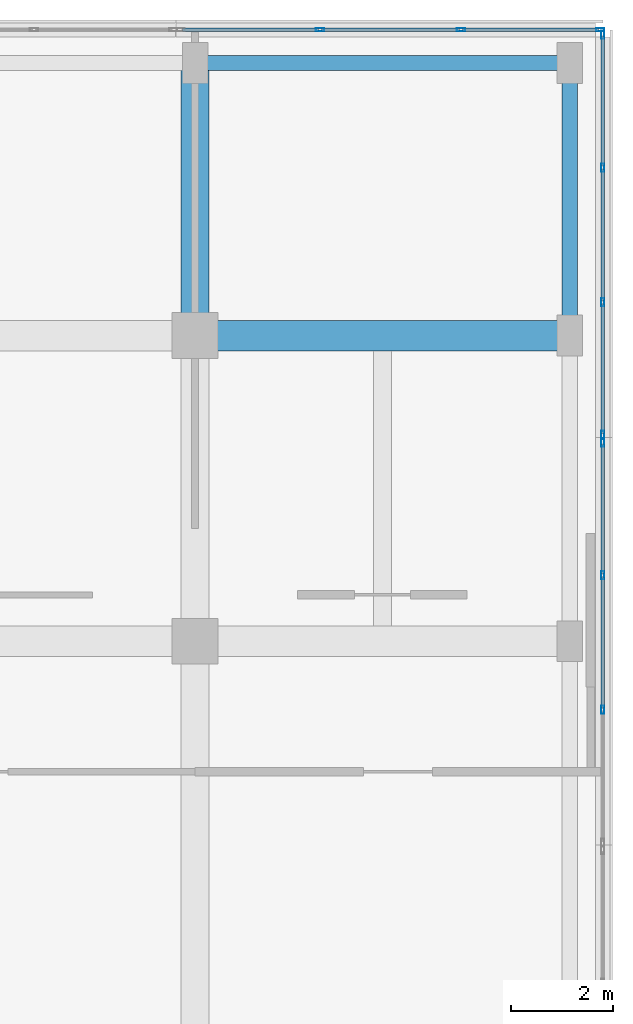
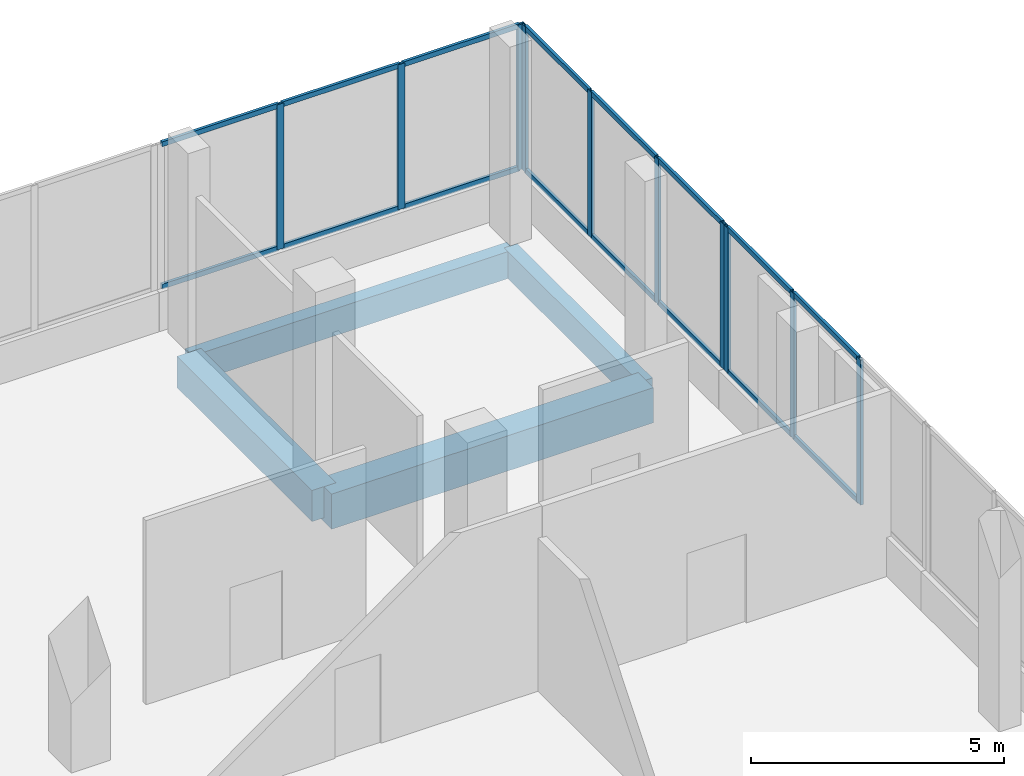
# One storey, part 122 of 168: 26 members, 4 beams, 3 elements without a shape of their own.
"""IFC4 building model written with IfcOpenShell, lengths in metres."""

from ifc_helpers import new_model, si_unit, direction, frame, origin, origin_2d, place, context, subcontext, project, spatial, rectangle, hollow_rectangle, extrude, material, material_profile, profile_set, type_object, element, aggregate, save


model = new_model("IFC4")

# Units and contexts
model_context = context("Model", 3, precision=1e-05, world=origin(), true_north=direction((0.0, 1.0)))
body_context = subcontext(model_context, "Body", "Model", "MODEL_VIEW")
ifc_project = project(units=[si_unit("LENGTHUNIT", "METRE"), si_unit("AREAUNIT", "SQUARE_METRE"), si_unit("VOLUMEUNIT", "CUBIC_METRE"), si_unit("PLANEANGLEUNIT", "RADIAN"), si_unit("MASSUNIT", "GRAM", prefix="KILO")], contexts=[model_context])

# Site, building, storey
site_placement = place(None, origin())
site = spatial("IfcSite", under=ifc_project, at=site_placement, CompositionType="ELEMENT")
building_placement = place(site_placement, origin())
building = spatial("IfcBuilding", under=site, at=building_placement, Name="Selatvlak General Hospital", CompositionType="ELEMENT")
storey_placement = place(building_placement, frame((0.0, 0.0, 5.39990234375)))
storey = spatial("IfcBuildingStorey", under=building, at=storey_placement, Name="L01", CompositionType="ELEMENT", Elevation=5.39990234375)

# Beams
ifc_material_1 = material(Name="Concrete C40/50", Category="concrete")
ifc_material_profile_1 = material_profile(ifc_material_1, rectangle(XDim=0.60009765625, YDim=0.85009765625, at=origin_2d()), Name="RC-BM 600x850")
ifc_profile_set_1 = profile_set([ifc_material_profile_1], Name="Concrete C40/50")
beam_type_1 = type_object("IfcBeamType", Name="BM-G01", PredefinedType="BEAM", material=ifc_profile_set_1)
beam_1_placement = place(storey_placement, frame((174.0, 114.0, -0.744873046875), z_axis=(1.0, 0.0, 0.0), x_axis=(0.0, 1.0, 0.0)))
element("IfcBeam", 1, at=beam_1_placement, inside=storey, type_object=beam_type_1, Name="Beam BMR-L01-0523", PredefinedType="BEAM", context=body_context, shape_type="SweptSolid", body=[
    extrude(rectangle(XDim=0.60009765625, YDim=0.85009765625, at=origin_2d()), origin(), (0.0, 0.0, 1.0), 7.35009765625),
])
ifc_material_profile_2 = material_profile(ifc_material_1, rectangle(XDim=0.550048828125, YDim=0.75, at=origin_2d()), Name="RC-BM 550x750")
ifc_profile_set_2 = profile_set([ifc_material_profile_2], Name="Concrete C40/50")
beam_type_2 = type_object("IfcBeamType", Name="BM-G02", PredefinedType="BEAM", material=ifc_profile_set_2)
beam_2_placement = place(storey_placement, frame((174.0, 114.0, -0.69482421875), z_axis=(0.0, 1.0, 0.0), x_axis=(-1.0, 0.0, 0.0)))
element("IfcBeam", 2, at=beam_2_placement, inside=storey, type_object=beam_type_2, Name="Beam BMR-L01-0682", PredefinedType="BEAM", context=body_context, shape_type="SweptSolid", body=[
    extrude(rectangle(XDim=0.550048828125, YDim=0.75, at=origin_2d()), origin(), (0.0, 0.0, 1.0), 5.35009765625),
])
ifc_material_profile_3 = material_profile(ifc_material_1, rectangle(XDim=0.300048828125, YDim=0.64990234375, at=origin_2d()), Name="RC-SP 300x650")
ifc_profile_set_3 = profile_set([ifc_material_profile_3], Name="Concrete C40/50")
beam_type_3 = type_object("IfcBeamType", Name="BM-SP1", PredefinedType="SPANDREL", material=ifc_profile_set_3)
beam_3_placement = place(storey_placement, frame((174.0, 119.35009765625, -0.64501953125), z_axis=(1.0, 0.0, 0.0), x_axis=(0.0, 1.0, 0.0)))
element("IfcBeam", 3, at=beam_3_placement, inside=storey, type_object=beam_type_3, Name="Beam BMR-L01-0539", PredefinedType="SPANDREL", context=body_context, shape_type="SweptSolid", body=[
    extrude(rectangle(XDim=0.300048828125, YDim=0.64990234375, at=origin_2d()), origin(), (0.0, 0.0, 1.0), 7.35009765625),
])
beam_4_placement = place(storey_placement, frame((181.35009765625, 114.0, -0.64501953125), z_axis=(0.0, 1.0, 0.0), x_axis=(-1.0, 0.0, 0.0)))
element("IfcBeam", 4, at=beam_4_placement, inside=storey, type_object=beam_type_3, Name="Beam BMR-L01-0692", PredefinedType="SPANDREL", context=body_context, shape_type="SweptSolid", body=[
    extrude(rectangle(XDim=0.300048828125, YDim=0.64990234375, at=origin_2d()), origin(), (0.0, 0.0, 1.0), 5.35009765625),
])

# Curtain wall, members
ifc_material_2 = material(Name="Solar-control Low-E double glazing", Category="glass")
curtain_wall_type_1 = type_object("IfcCurtainWallType", Name="CW-CW-02", PredefinedType="USERDEFINED", material=ifc_material_2)
curtain_wall_1_placement = place(storey_placement, origin())
curtain_wall_1 = element("IfcCurtainWall", 5, at=curtain_wall_1_placement, inside=storey, type_object=curtain_wall_type_1, Name="Glazed facade curtain wall CW-L01-0131", ObjectType="UNITISED CURTAIN WALL", PredefinedType="USERDEFINED")
ifc_material_3 = material(Name="Dark anodised aluminium mullion", Category="aluminium")
ifc_material_profile_4 = material_profile(ifc_material_3, hollow_rectangle(XDim=0.06494140625, YDim=0.159912109375, WallThickness=0.00390625, at=origin_2d()), Name="AL-MUL 65x160x4")
ifc_profile_set_4 = profile_set([ifc_material_profile_4], Name="Dark anodised aluminium mullion")
member_type_1 = type_object("IfcMemberType", Name="CWM-01", PredefinedType="MULLION", material=ifc_profile_set_4)
member_1_placement = place(storey_placement, frame((176.45068359375, 120.0, 0.940185546875), z_axis=(0.0, 0.0, 1.0), x_axis=(0.0, 1.0, 0.0)))
member_1 = element("IfcMember", 6, at=member_1_placement, type_object=member_type_1, Name="CW-02 mullion 2", PredefinedType="MULLION", context=body_context, shape_type="SweptSolid", body=[
    extrude(hollow_rectangle(XDim=0.06494140625, YDim=0.159912109375, WallThickness=0.00390625, at=origin_2d()), origin(), (0.0, 0.0, 1.0), 3.5048828125),
])
member_2_placement = place(storey_placement, frame((179.21728515625, 120.0, 0.940185546875), z_axis=(0.0, 0.0, 1.0), x_axis=(0.0, 1.0, 0.0)))
member_2 = element("IfcMember", 7, at=member_2_placement, type_object=member_type_1, Name="CW-02 mullion 3", PredefinedType="MULLION", context=body_context, shape_type="SweptSolid", body=[
    extrude(hollow_rectangle(XDim=0.06494140625, YDim=0.159912109375, WallThickness=0.00390625, at=origin_2d()), origin(), (0.0, 0.0, 1.0), 3.5048828125),
])
member_3_placement = place(storey_placement, frame((181.951416015625, 120.0, 0.940185546875), z_axis=(0.0, 0.0, 1.0), x_axis=(0.0, 1.0, 0.0)))
member_3 = element("IfcMember", 8, at=member_3_placement, type_object=member_type_1, Name="CW-02 mullion 4", PredefinedType="MULLION", context=body_context, shape_type="SweptSolid", body=[
    extrude(hollow_rectangle(XDim=0.06494140625, YDim=0.159912109375, WallThickness=0.00390625, at=origin_2d()), origin(), (0.0, 0.0, 1.0), 3.5048828125),
])

curtain_wall_type_2 = type_object("IfcCurtainWallType", Name="CW-CW-01", PredefinedType="USERDEFINED", material=ifc_material_2)
curtain_wall_2_placement = place(storey_placement, origin())
curtain_wall_2 = element("IfcCurtainWall", 9, at=curtain_wall_2_placement, inside=storey, type_object=curtain_wall_type_2, Name="Glazed facade curtain wall CW-L01-0132", ObjectType="UNITISED CURTAIN WALL", PredefinedType="USERDEFINED")
member_4_placement = place(storey_placement, frame((181.9990234375, 119.902587890625, 0.940185546875), z_axis=(0.0, 0.0, 1.0), x_axis=(1.0, 0.0, 0.0)))
member_4 = element("IfcMember", 10, at=member_4_placement, type_object=member_type_1, Name="CW-01 mullion 1", PredefinedType="MULLION", context=body_context, shape_type="SweptSolid", body=[
    extrude(hollow_rectangle(XDim=0.06494140625, YDim=0.159912109375, WallThickness=0.00390625, at=origin_2d()), origin(), (0.0, 0.0, 1.0), 3.5048828125),
])
member_5_placement = place(storey_placement, frame((181.9990234375, 117.294921875, 0.940185546875), z_axis=(0.0, 0.0, 1.0), x_axis=(1.0, 0.0, 0.0)))
member_5 = element("IfcMember", 11, at=member_5_placement, type_object=member_type_1, Name="CW-01 mullion 2", PredefinedType="MULLION", context=body_context, shape_type="SweptSolid", body=[
    extrude(hollow_rectangle(XDim=0.06494140625, YDim=0.159912109375, WallThickness=0.00390625, at=origin_2d()), origin(), (0.0, 0.0, 1.0), 3.5048828125),
])
member_6_placement = place(storey_placement, frame((181.9990234375, 114.655029296875, 0.940185546875), z_axis=(0.0, 0.0, 1.0), x_axis=(1.0, 0.0, 0.0)))
member_6 = element("IfcMember", 12, at=member_6_placement, type_object=member_type_1, Name="CW-01 mullion 3", PredefinedType="MULLION", context=body_context, shape_type="SweptSolid", body=[
    extrude(hollow_rectangle(XDim=0.06494140625, YDim=0.159912109375, WallThickness=0.00390625, at=origin_2d()), origin(), (0.0, 0.0, 1.0), 3.5048828125),
])
member_7_placement = place(storey_placement, frame((181.9990234375, 112.047607421875, 0.940185546875), z_axis=(0.0, 0.0, 1.0), x_axis=(1.0, 0.0, 0.0)))
member_7 = element("IfcMember", 13, at=member_7_placement, type_object=member_type_1, Name="CW-01 mullion 4", PredefinedType="MULLION", context=body_context, shape_type="SweptSolid", body=[
    extrude(hollow_rectangle(XDim=0.06494140625, YDim=0.159912109375, WallThickness=0.00390625, at=origin_2d()), origin(), (0.0, 0.0, 1.0), 3.5048828125),
])

curtain_wall_3_placement = place(storey_placement, origin())
curtain_wall_3 = element("IfcCurtainWall", 14, at=curtain_wall_3_placement, inside=storey, type_object=curtain_wall_type_1, Name="Glazed facade curtain wall CW-L01-0133", ObjectType="UNITISED CURTAIN WALL", PredefinedType="USERDEFINED")
member_8_placement = place(storey_placement, frame((181.9990234375, 111.902587890625, 0.940185546875), z_axis=(0.0, 0.0, 1.0), x_axis=(0.999999992027, 0.000126278568, 0.0)))
member_8 = element("IfcMember", 15, at=member_8_placement, type_object=member_type_1, Name="CW-02 mullion 1", PredefinedType="MULLION", context=body_context, shape_type="SweptSolid", body=[
    extrude(hollow_rectangle(XDim=0.06494140625, YDim=0.159912109375, WallThickness=0.00390625, at=origin_2d()), origin(), (0.0, 0.0, 1.0), 3.5048828125),
])
member_9_placement = place(storey_placement, frame((181.999267578125, 109.29541015625, 0.940185546875), z_axis=(0.0, 0.0, 1.0), x_axis=(0.999999992027, 0.000126278568, 0.0)))
member_9 = element("IfcMember", 16, at=member_9_placement, type_object=member_type_1, Name="CW-02 mullion 2", PredefinedType="MULLION", context=body_context, shape_type="SweptSolid", body=[
    extrude(hollow_rectangle(XDim=0.06494140625, YDim=0.159912109375, WallThickness=0.00390625, at=origin_2d()), origin(), (0.0, 0.0, 1.0), 3.5048828125),
])
member_10_placement = place(storey_placement, frame((181.999755859375, 106.65576171875, 0.940185546875), z_axis=(0.0, 0.0, 1.0), x_axis=(0.999999992027, 0.000126278568, 0.0)))
member_10 = element("IfcMember", 17, at=member_10_placement, type_object=member_type_1, Name="CW-02 mullion 3", PredefinedType="MULLION", context=body_context, shape_type="SweptSolid", body=[
    extrude(hollow_rectangle(XDim=0.06494140625, YDim=0.159912109375, WallThickness=0.00390625, at=origin_2d()), origin(), (0.0, 0.0, 1.0), 3.5048828125),
])

# Member
ifc_material_profile_5 = material_profile(ifc_material_3, hollow_rectangle(XDim=0.06494140625, YDim=0.1201171875, WallThickness=0.00390625, at=origin_2d()), Name="AL-TRN 65x120x4")
ifc_profile_set_5 = profile_set([ifc_material_profile_5], Name="Dark anodised aluminium mullion")
member_type_2 = type_object("IfcMemberType", Name="CWT-01", PredefinedType="USERDEFINED", material=ifc_profile_set_5)
member_11_placement = place(storey_placement, frame((173.7490234375, 120.0, 0.97265625), z_axis=(1.0, 0.0, 0.0), x_axis=(0.0, 1.0, 0.0)))
member_11 = element("IfcMember", 18, at=member_11_placement, type_object=member_type_2, Name="CW-02 transom 1.1", ObjectType="TRANSOM", PredefinedType="USERDEFINED", context=body_context, shape_type="SweptSolid", body=[
    extrude(hollow_rectangle(XDim=0.06494140625, YDim=0.1201171875, WallThickness=0.00390625, at=origin_2d()), origin(), (0.0, 0.0, 1.0), 2.669189453125),
])

member_12_placement = place(storey_placement, frame((173.7490234375, 120.0, 4.41259765625), z_axis=(1.0, 0.0, 0.0), x_axis=(0.0, 1.0, 0.0)))
member_12 = element("IfcMember", 19, at=member_12_placement, type_object=member_type_2, Name="CW-02 transom 1.2", ObjectType="TRANSOM", PredefinedType="USERDEFINED", context=body_context, shape_type="SweptSolid", body=[
    extrude(hollow_rectangle(XDim=0.06494140625, YDim=0.1201171875, WallThickness=0.00390625, at=origin_2d()), origin(), (0.0, 0.0, 1.0), 2.669189453125),
])

member_13_placement = place(storey_placement, frame((176.483154296875, 120.0, 0.97265625), z_axis=(1.0, 0.0, 0.0), x_axis=(0.0, 1.0, 0.0)))
member_13 = element("IfcMember", 20, at=member_13_placement, type_object=member_type_2, Name="CW-02 transom 2.1", ObjectType="TRANSOM", PredefinedType="USERDEFINED", context=body_context, shape_type="SweptSolid", body=[
    extrude(hollow_rectangle(XDim=0.06494140625, YDim=0.1201171875, WallThickness=0.00390625, at=origin_2d()), origin(), (0.0, 0.0, 1.0), 2.70166015625),
])

member_14_placement = place(storey_placement, frame((176.483154296875, 120.0, 4.41259765625), z_axis=(1.0, 0.0, 0.0), x_axis=(0.0, 1.0, 0.0)))
member_14 = element("IfcMember", 21, at=member_14_placement, type_object=member_type_2, Name="CW-02 transom 2.2", ObjectType="TRANSOM", PredefinedType="USERDEFINED", context=body_context, shape_type="SweptSolid", body=[
    extrude(hollow_rectangle(XDim=0.06494140625, YDim=0.1201171875, WallThickness=0.00390625, at=origin_2d()), origin(), (0.0, 0.0, 1.0), 2.70166015625),
])

member_15_placement = place(storey_placement, frame((179.249755859375, 120.0, 0.97265625), z_axis=(1.0, 0.0, 0.0), x_axis=(0.0, 1.0, 0.0)))
member_15 = element("IfcMember", 22, at=member_15_placement, type_object=member_type_2, Name="CW-02 transom 3.1", ObjectType="TRANSOM", PredefinedType="USERDEFINED", context=body_context, shape_type="SweptSolid", body=[
    extrude(hollow_rectangle(XDim=0.06494140625, YDim=0.1201171875, WallThickness=0.00390625, at=origin_2d()), origin(), (0.0, 0.0, 1.0), 2.669189453125),
])

member_16_placement = place(storey_placement, frame((179.249755859375, 120.0, 4.41259765625), z_axis=(1.0, 0.0, 0.0), x_axis=(0.0, 1.0, 0.0)))
member_16 = element("IfcMember", 23, at=member_16_placement, type_object=member_type_2, Name="CW-02 transom 3.2", ObjectType="TRANSOM", PredefinedType="USERDEFINED", context=body_context, shape_type="SweptSolid", body=[
    extrude(hollow_rectangle(XDim=0.06494140625, YDim=0.1201171875, WallThickness=0.00390625, at=origin_2d()), origin(), (0.0, 0.0, 1.0), 2.669189453125),
])

aggregate(curtain_wall_1, [member_1, member_2, member_3, member_11, member_12, member_13, member_14, member_15, member_16])

member_17_placement = place(storey_placement, frame((181.9990234375, 119.8701171875, 0.97265625), z_axis=(0.0, -1.0, 0.0), x_axis=(1.0, 0.0, 0.0)))
member_17 = element("IfcMember", 24, at=member_17_placement, type_object=member_type_2, Name="CW-01 transom 1.1", ObjectType="TRANSOM", PredefinedType="USERDEFINED", context=body_context, shape_type="SweptSolid", body=[
    extrude(hollow_rectangle(XDim=0.06494140625, YDim=0.1201171875, WallThickness=0.00390625, at=origin_2d()), origin(), (0.0, 0.0, 1.0), 2.542724609375),
])

member_18_placement = place(storey_placement, frame((181.9990234375, 119.8701171875, 4.41259765625), z_axis=(0.0, -1.0, 0.0), x_axis=(1.0, 0.0, 0.0)))
member_18 = element("IfcMember", 25, at=member_18_placement, type_object=member_type_2, Name="CW-01 transom 1.2", ObjectType="TRANSOM", PredefinedType="USERDEFINED", context=body_context, shape_type="SweptSolid", body=[
    extrude(hollow_rectangle(XDim=0.06494140625, YDim=0.1201171875, WallThickness=0.00390625, at=origin_2d()), origin(), (0.0, 0.0, 1.0), 2.542724609375),
])

member_19_placement = place(storey_placement, frame((181.9990234375, 117.262451171875, 0.97265625), z_axis=(0.0, -1.0, 0.0), x_axis=(1.0, 0.0, 0.0)))
member_19 = element("IfcMember", 26, at=member_19_placement, type_object=member_type_2, Name="CW-01 transom 2.1", ObjectType="TRANSOM", PredefinedType="USERDEFINED", context=body_context, shape_type="SweptSolid", body=[
    extrude(hollow_rectangle(XDim=0.06494140625, YDim=0.1201171875, WallThickness=0.00390625, at=origin_2d()), origin(), (0.0, 0.0, 1.0), 2.574951171875),
])

member_20_placement = place(storey_placement, frame((181.9990234375, 117.262451171875, 4.41259765625), z_axis=(0.0, -1.0, 0.0), x_axis=(1.0, 0.0, 0.0)))
member_20 = element("IfcMember", 27, at=member_20_placement, type_object=member_type_2, Name="CW-01 transom 2.2", ObjectType="TRANSOM", PredefinedType="USERDEFINED", context=body_context, shape_type="SweptSolid", body=[
    extrude(hollow_rectangle(XDim=0.06494140625, YDim=0.1201171875, WallThickness=0.00390625, at=origin_2d()), origin(), (0.0, 0.0, 1.0), 2.574951171875),
])

member_21_placement = place(storey_placement, frame((181.9990234375, 114.62255859375, 0.97265625), z_axis=(0.0, -1.0, 0.0), x_axis=(1.0, 0.0, 0.0)))
member_21 = element("IfcMember", 28, at=member_21_placement, type_object=member_type_2, Name="CW-01 transom 3.1", ObjectType="TRANSOM", PredefinedType="USERDEFINED", context=body_context, shape_type="SweptSolid", body=[
    extrude(hollow_rectangle(XDim=0.06494140625, YDim=0.1201171875, WallThickness=0.00390625, at=origin_2d()), origin(), (0.0, 0.0, 1.0), 2.54248046875),
])

member_22_placement = place(storey_placement, frame((181.9990234375, 114.62255859375, 4.41259765625), z_axis=(0.0, -1.0, 0.0), x_axis=(1.0, 0.0, 0.0)))
member_22 = element("IfcMember", 29, at=member_22_placement, type_object=member_type_2, Name="CW-01 transom 3.2", ObjectType="TRANSOM", PredefinedType="USERDEFINED", context=body_context, shape_type="SweptSolid", body=[
    extrude(hollow_rectangle(XDim=0.06494140625, YDim=0.1201171875, WallThickness=0.00390625, at=origin_2d()), origin(), (0.0, 0.0, 1.0), 2.54248046875),
])

aggregate(curtain_wall_2, [member_4, member_5, member_6, member_7, member_17, member_18, member_19, member_20, member_21, member_22])

member_23_placement = place(storey_placement, frame((181.9990234375, 111.8701171875, 0.97265625), z_axis=(9.6033803e-05, -0.999999995389, 0.0), x_axis=(0.999999995389, 9.6033803e-05, 0.0)))
member_23 = element("IfcMember", 30, at=member_23_placement, type_object=member_type_2, Name="CW-02 transom 1.1", ObjectType="TRANSOM", PredefinedType="USERDEFINED", context=body_context, shape_type="SweptSolid", body=[
    extrude(hollow_rectangle(XDim=0.06494140625, YDim=0.1201171875, WallThickness=0.00390625, at=origin_2d()), origin(), (0.0, 0.0, 1.0), 2.542236328125),
])

member_24_placement = place(storey_placement, frame((181.9990234375, 111.8701171875, 4.41259765625), z_axis=(9.6033803e-05, -0.999999995389, 0.0), x_axis=(0.999999995389, 9.6033803e-05, 0.0)))
member_24 = element("IfcMember", 31, at=member_24_placement, type_object=member_type_2, Name="CW-02 transom 1.2", ObjectType="TRANSOM", PredefinedType="USERDEFINED", context=body_context, shape_type="SweptSolid", body=[
    extrude(hollow_rectangle(XDim=0.06494140625, YDim=0.1201171875, WallThickness=0.00390625, at=origin_2d()), origin(), (0.0, 0.0, 1.0), 2.542236328125),
])

member_25_placement = place(storey_placement, frame((181.999267578125, 109.262939453125, 0.97265625), z_axis=(0.00018964536, -0.999999982017, 0.0), x_axis=(0.999999982017, 0.00018964536, 0.0)))
member_25 = element("IfcMember", 32, at=member_25_placement, type_object=member_type_2, Name="CW-02 transom 2.1", ObjectType="TRANSOM", PredefinedType="USERDEFINED", context=body_context, shape_type="SweptSolid", body=[
    extrude(hollow_rectangle(XDim=0.06494140625, YDim=0.1201171875, WallThickness=0.00390625, at=origin_2d()), origin(), (0.0, 0.0, 1.0), 2.57470703125),
])

member_26_placement = place(storey_placement, frame((181.999267578125, 109.262939453125, 4.41259765625), z_axis=(0.00018964536, -0.999999982017, 0.0), x_axis=(0.999999982017, 0.00018964536, 0.0)))
member_26 = element("IfcMember", 33, at=member_26_placement, type_object=member_type_2, Name="CW-02 transom 2.2", ObjectType="TRANSOM", PredefinedType="USERDEFINED", context=body_context, shape_type="SweptSolid", body=[
    extrude(hollow_rectangle(XDim=0.06494140625, YDim=0.1201171875, WallThickness=0.00390625, at=origin_2d()), origin(), (0.0, 0.0, 1.0), 2.57470703125),
])

aggregate(curtain_wall_3, [member_8, member_9, member_10, member_23, member_24, member_25, member_26])

save(model, "model.ifc")
